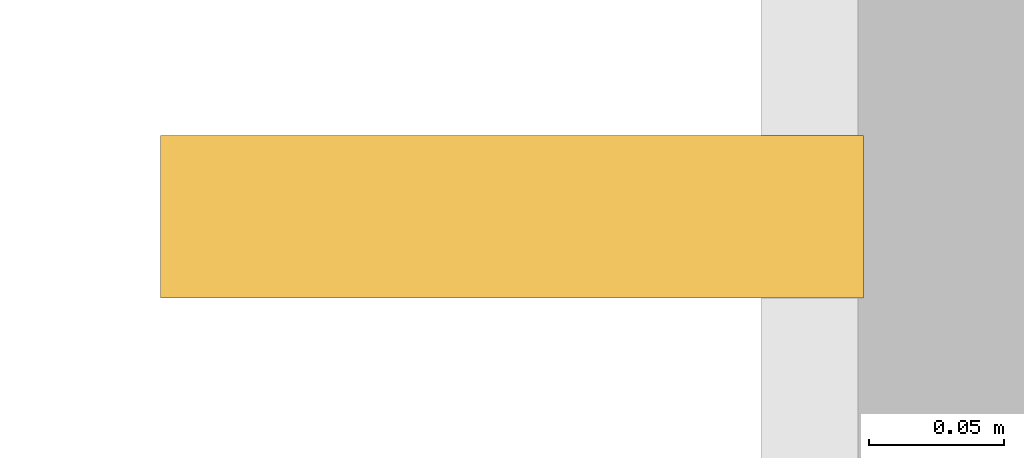
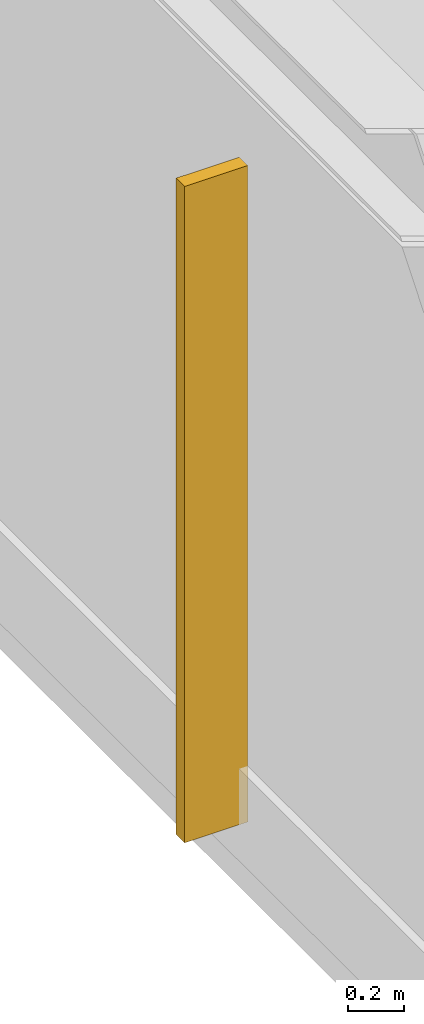
# One storey, part 62 of 65: 1 shading device.
"""IFC4 building model written with IfcOpenShell, lengths in metres."""

from ifc_helpers import new_model, si_unit, direction, frame, origin, origin_2d, place, context, subcontext, project, spatial, rectangle, extrude, material, type_object, element, save


model = new_model("IFC4")

# Units and contexts
model_context = context("Model", 3, precision=1e-05, world=origin(), true_north=direction((0.0, 1.0)))
body_context = subcontext(model_context, "Body", "Model", "MODEL_VIEW")
ifc_project = project(units=[si_unit("LENGTHUNIT", "METRE"), si_unit("AREAUNIT", "SQUARE_METRE"), si_unit("VOLUMEUNIT", "CUBIC_METRE"), si_unit("PLANEANGLEUNIT", "RADIAN"), si_unit("MASSUNIT", "GRAM", prefix="KILO")], contexts=[model_context])

# Site, building, storey
site_placement = place(None, origin())
site = spatial("IfcSite", under=ifc_project, at=site_placement, CompositionType="ELEMENT")
building_placement = place(site_placement, origin())
building = spatial("IfcBuilding", under=site, at=building_placement, Name="Montecoro Central Library", CompositionType="ELEMENT")
storey_placement = place(building_placement, frame((0.0, 0.0, 17.340087890625)))
storey = spatial("IfcBuildingStorey", under=building, at=storey_placement, Name="L04", CompositionType="ELEMENT", Elevation=17.340087890625)

# Shading device
ifc_material = material(Name="Architectural bronze solar fin", Category="aluminium")
shading_device_type = type_object("IfcShadingDeviceType", Name="SHD-FIN-13", PredefinedType="USERDEFINED", material=ifc_material)
shading_device_placement = place(storey_placement, frame((66.116943359375, 107.60009765625, 0.31494140625), z_axis=(0.0, 0.0, 1.0), x_axis=(0.0, -1.0, 0.0)))
element("IfcShadingDevice", 1, at=shading_device_placement, inside=storey, type_object=shading_device_type, Name="V2-L04-FIN-W1", ObjectType="SOLAR FIN", PredefinedType="USERDEFINED", context=body_context, shape_type="SweptSolid", body=[
    extrude(rectangle(XDim=0.06005859375, YDim=0.260009765625, at=origin_2d()), origin(), (0.0, 0.0, 1.0), 2.85009765625),
])

save(model, "model.ifc")
